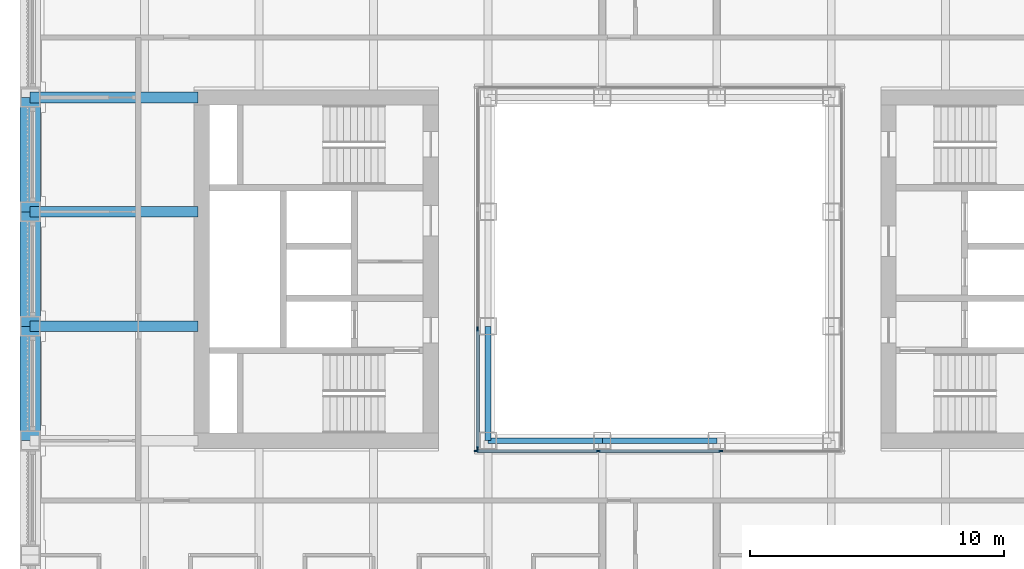
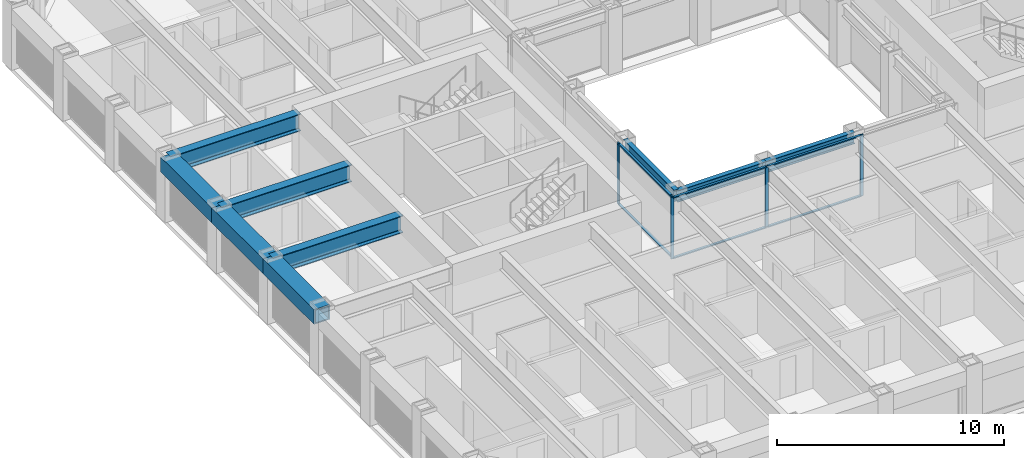
# One storey, part 3 of 21: 11 members, 9 beams, 2 elements without a shape of their own.
"""IFC4 building model written with IfcOpenShell, lengths in metres."""

from ifc_helpers import new_model, si_unit, direction, frame, origin, origin_2d, place, context, subcontext, project, spatial, rectangle, hollow_rectangle, i_section, extrude, material, material_profile, profile_set, type_object, element, aggregate, save


model = new_model("IFC4")

# Units and contexts
model_context = context("Model", 3, precision=1e-05, world=origin(), true_north=direction((0.0, 1.0)))
body_context = subcontext(model_context, "Body", "Model", "MODEL_VIEW")
ifc_project = project(units=[si_unit("LENGTHUNIT", "METRE"), si_unit("AREAUNIT", "SQUARE_METRE"), si_unit("VOLUMEUNIT", "CUBIC_METRE"), si_unit("PLANEANGLEUNIT", "RADIAN"), si_unit("MASSUNIT", "GRAM", prefix="KILO")], contexts=[model_context])

# Site, building, storey
site_placement = place(None, origin())
site = spatial("IfcSite", under=ifc_project, at=site_placement, CompositionType="ELEMENT")
building_placement = place(site_placement, origin())
building = spatial("IfcBuilding", under=site, at=building_placement, Name="Msasa Ring Tower", CompositionType="ELEMENT")
storey_placement = place(building_placement, frame((0.0, 0.0, 100.0)))
storey = spatial("IfcBuildingStorey", under=building, at=storey_placement, Name="L26", CompositionType="ELEMENT", Elevation=100.0)

# Curtain wall, members
ifc_material_1 = material(Name="Aluminium curtain wall with clear glass", Category="aluminium")
curtain_wall_type = type_object("IfcCurtainWallType", Name="CW-W LIGHT WELL CURTAIN WALL", PredefinedType="NOTDEFINED", material=ifc_material_1)
curtain_wall_1_placement = place(storey_placement, origin())
curtain_wall_1 = element("IfcCurtainWall", 1, at=curtain_wall_1_placement, inside=storey, type_object=curtain_wall_type, Name="Light well curtain wall S L26", PredefinedType="NOTDEFINED")
ifc_material_2 = material(Name="Aluminium mullion", Category="aluminium")
ifc_material_profile_1 = material_profile(ifc_material_2, rectangle(XDim=0.06005859375, YDim=0.159912109375, at=origin_2d()), Name="AL 60x160")
ifc_profile_set_1 = profile_set([ifc_material_profile_1], Name="Aluminium mullion")
member_type_1 = type_object("IfcMemberType", Name="CW-W MULLION 60x160", PredefinedType="MULLION", material=ifc_profile_set_1)
member_1_placement = place(storey_placement, frame((-7.199951171875, -7.14990234375, 0.0), z_axis=(0.0, 0.0, 1.0), x_axis=(0.0, 1.0, 0.0)))
member_1 = element("IfcMember", 2, at=member_1_placement, type_object=member_type_1, Name="CW-W mullion 1", PredefinedType="MULLION", context=body_context, shape_type="SweptSolid", body=[
    extrude(rectangle(XDim=0.06005859375, YDim=0.159912109375, at=origin_2d()), origin(), (0.0, 0.0, 1.0), 3.300048828125),
])
member_2_placement = place(storey_placement, frame((-2.409912109375, -7.14990234375, 0.0), z_axis=(0.0, 0.0, 1.0), x_axis=(0.0, 1.0, 0.0)))
member_2 = element("IfcMember", 3, at=member_2_placement, type_object=member_type_1, Name="CW-W mullion 2", PredefinedType="MULLION", context=body_context, shape_type="SweptSolid", body=[
    extrude(rectangle(XDim=0.06005859375, YDim=0.159912109375, at=origin_2d()), origin(), (0.0, 0.0, 1.0), 3.300048828125),
])
member_3_placement = place(storey_placement, frame((2.409912109375, -7.14990234375, 0.0), z_axis=(0.0, 0.0, 1.0), x_axis=(0.0, 1.0, 0.0)))
member_3 = element("IfcMember", 4, at=member_3_placement, type_object=member_type_1, Name="CW-W mullion 3", PredefinedType="MULLION", context=body_context, shape_type="SweptSolid", body=[
    extrude(rectangle(XDim=0.06005859375, YDim=0.159912109375, at=origin_2d()), origin(), (0.0, 0.0, 1.0), 3.300048828125),
])

curtain_wall_2_placement = place(storey_placement, origin())
curtain_wall_2 = element("IfcCurtainWall", 5, at=curtain_wall_2_placement, inside=storey, type_object=curtain_wall_type, Name="Light well curtain wall W L26", PredefinedType="NOTDEFINED")
member_4_placement = place(storey_placement, frame((-7.14990234375, -7.0400390625, 0.0), z_axis=(0.0, 0.0, 1.0), x_axis=(-1.0, 0.0, 0.0)))
member_4 = element("IfcMember", 6, at=member_4_placement, type_object=member_type_1, Name="CW-W mullion 1", PredefinedType="MULLION", context=body_context, shape_type="SweptSolid", body=[
    extrude(rectangle(XDim=0.06005859375, YDim=0.159912109375, at=origin_2d()), origin(), (0.0, 0.0, 1.0), 3.300048828125),
])
member_5_placement = place(storey_placement, frame((-7.14990234375, -2.356689453125, 0.0), z_axis=(0.0, 0.0, 1.0), x_axis=(-1.0, 0.0, 0.0)))
member_5 = element("IfcMember", 7, at=member_5_placement, type_object=member_type_1, Name="CW-W mullion 2", PredefinedType="MULLION", context=body_context, shape_type="SweptSolid", body=[
    extrude(rectangle(XDim=0.06005859375, YDim=0.159912109375, at=origin_2d()), origin(), (0.0, 0.0, 1.0), 3.300048828125),
])

# Member
ifc_material_3 = material(Name="Aluminium transom", Category="aluminium")
ifc_material_profile_2 = material_profile(ifc_material_3, rectangle(XDim=0.1201171875, YDim=0.06005859375, at=origin_2d()), Name="AL 60x120")
ifc_profile_set_2 = profile_set([ifc_material_profile_2], Name="Aluminium transom")
member_type_2 = type_object("IfcMemberType", Name="CW-W TRANSOM 60x120", PredefinedType="USERDEFINED", material=ifc_profile_set_2)
member_6_placement = place(storey_placement, frame((-7.169921875, -7.14990234375, 0.030029296875), z_axis=(1.0, 0.0, 0.0), x_axis=(0.0, 1.0, 0.0)))
member_6 = element("IfcMember", 8, at=member_6_placement, type_object=member_type_2, Name="CW-W transom 1.1", ObjectType="TRANSOM", PredefinedType="USERDEFINED", context=body_context, shape_type="SweptSolid", body=[
    extrude(rectangle(XDim=0.1201171875, YDim=0.06005859375, at=origin_2d()), origin(), (0.0, 0.0, 1.0), 4.72998046875),
])

member_7_placement = place(storey_placement, frame((-7.169921875, -7.14990234375, 3.27001953125), z_axis=(1.0, 0.0, 0.0), x_axis=(0.0, 1.0, 0.0)))
member_7 = element("IfcMember", 9, at=member_7_placement, type_object=member_type_2, Name="CW-W transom 1.2", ObjectType="TRANSOM", PredefinedType="USERDEFINED", context=body_context, shape_type="SweptSolid", body=[
    extrude(rectangle(XDim=0.1201171875, YDim=0.06005859375, at=origin_2d()), origin(), (0.0, 0.0, 1.0), 4.72998046875),
])

member_8_placement = place(storey_placement, frame((-2.3798828125, -7.14990234375, 0.030029296875), z_axis=(1.0, 0.0, 0.0), x_axis=(0.0, 1.0, 0.0)))
member_8 = element("IfcMember", 10, at=member_8_placement, type_object=member_type_2, Name="CW-W transom 2.1", ObjectType="TRANSOM", PredefinedType="USERDEFINED", context=body_context, shape_type="SweptSolid", body=[
    extrude(rectangle(XDim=0.1201171875, YDim=0.06005859375, at=origin_2d()), origin(), (0.0, 0.0, 1.0), 4.759765625),
])

member_9_placement = place(storey_placement, frame((-2.3798828125, -7.14990234375, 3.27001953125), z_axis=(1.0, 0.0, 0.0), x_axis=(0.0, 1.0, 0.0)))
member_9 = element("IfcMember", 11, at=member_9_placement, type_object=member_type_2, Name="CW-W transom 2.2", ObjectType="TRANSOM", PredefinedType="USERDEFINED", context=body_context, shape_type="SweptSolid", body=[
    extrude(rectangle(XDim=0.1201171875, YDim=0.06005859375, at=origin_2d()), origin(), (0.0, 0.0, 1.0), 4.759765625),
])

aggregate(curtain_wall_1, [member_1, member_2, member_3, member_6, member_7, member_8, member_9])

member_10_placement = place(storey_placement, frame((-7.14990234375, -7.010009765625, 0.030029296875), z_axis=(0.0, 1.0, 0.0), x_axis=(-1.0, 0.0, 0.0)))
member_10 = element("IfcMember", 12, at=member_10_placement, type_object=member_type_2, Name="CW-W transom 1.1", ObjectType="TRANSOM", PredefinedType="USERDEFINED", context=body_context, shape_type="SweptSolid", body=[
    extrude(rectangle(XDim=0.1201171875, YDim=0.06005859375, at=origin_2d()), origin(), (0.0, 0.0, 1.0), 4.623291015625),
])

member_11_placement = place(storey_placement, frame((-7.14990234375, -7.010009765625, 3.27001953125), z_axis=(0.0, 1.0, 0.0), x_axis=(-1.0, 0.0, 0.0)))
member_11 = element("IfcMember", 13, at=member_11_placement, type_object=member_type_2, Name="CW-W transom 1.2", ObjectType="TRANSOM", PredefinedType="USERDEFINED", context=body_context, shape_type="SweptSolid", body=[
    extrude(rectangle(XDim=0.1201171875, YDim=0.06005859375, at=origin_2d()), origin(), (0.0, 0.0, 1.0), 4.623291015625),
])

aggregate(curtain_wall_2, [member_4, member_5, member_10, member_11])

# Beams
ifc_material_4 = material(Name="Steel S355", Category="steel")
ifc_material_profile_3 = material_profile(ifc_material_4, i_section(OverallWidth=0.42041015625, OverallDepth=0.9208984375, WebThickness=0.021484375, FlangeThickness=0.03662109375, FilletRadius=0.024169921875, at=origin_2d()), Name="UB 914x419x388")
ifc_profile_set_3 = profile_set([ifc_material_profile_3], Name="Steel S355")
beam_type_1 = type_object("IfcBeamType", Name="FB2 UB 914x419x388", PredefinedType="BEAM", material=ifc_profile_set_3)
for number, where, z_axis, x_axis, name in (
    (14, (-24.75, -2.25, 2.839599609375), (1.0, 0.0, 0.0), (0.0, 1.0, 0.0), "Floor beam W -2.25 under L27"),
    (15, (-24.75, 2.25, 2.839599609375), (1.0, 0.0, 0.0), (0.0, 1.0, 0.0), "Floor beam W +2.25 under L27"),
):
    element("IfcBeam", number, at=place(storey_placement, frame(where, z_axis=z_axis, x_axis=x_axis)), inside=storey, type_object=beam_type_1, Name=name, PredefinedType="BEAM", context=body_context, shape_type="SweptSolid", body=[
        extrude(i_section(OverallWidth=0.42041015625, OverallDepth=0.9208984375, WebThickness=0.021484375, FlangeThickness=0.03662109375, FilletRadius=0.024169921875, at=origin_2d()), origin(), (0.0, 0.0, 1.0), 6.60009765625),
    ])
ifc_material_5 = material(Name="Steel S355", Category="steel")
ifc_material_profile_4 = material_profile(ifc_material_5, i_section(OverallWidth=0.42041015625, OverallDepth=0.9208984375, WebThickness=0.021484375, FlangeThickness=0.03662109375, FilletRadius=0.024169921875, at=origin_2d()), Name="UB 914x419x388")
ifc_profile_set_4 = profile_set([ifc_material_profile_4], Name="Steel S355")
beam_type_2 = type_object("IfcBeamType", Name="GB1 UB 914x419x388", PredefinedType="BEAM", material=ifc_profile_set_4)
beam_placement = place(storey_placement, frame((-18.14990234375, 6.75, 2.839599609375), z_axis=(-1.0, 0.0, 0.0), x_axis=(0.0, -1.0, 0.0)))
element("IfcBeam", 16, at=beam_placement, inside=storey, type_object=beam_type_2, Name="Girder W +6.75 under L27", PredefinedType="BEAM", context=body_context, shape_type="SweptSolid", body=[
    extrude(i_section(OverallWidth=0.42041015625, OverallDepth=0.9208984375, WebThickness=0.021484375, FlangeThickness=0.03662109375, FilletRadius=0.024169921875, at=origin_2d()), origin(), (0.0, 0.0, 1.0), 6.60009765625),
])
ifc_material_6 = material(Name="Steel S355", Category="steel")
ifc_material_profile_5 = material_profile(ifc_material_6, i_section(OverallWidth=0.230224609375, OverallDepth=0.6171875, WebThickness=0.01318359375, FlangeThickness=0.022216796875, FilletRadius=0.0126953125, at=origin_2d()), Name="UB 610x229x140")
ifc_profile_set_5 = profile_set([ifc_material_profile_5], Name="Steel S355")
beam_type_3 = type_object("IfcBeamType", Name="RB1 UB 610x229x140", PredefinedType="BEAM", material=ifc_profile_set_5)
for number, where, z_axis, x_axis, name in (
    (17, (-6.75, -2.25, 2.991455078125), (0.0, -1.0, 0.0), (1.0, 0.0, 0.0), "Inner ring beam IR-6.75-2.25 under L27"),
    (18, (-6.75, -6.75, 2.991455078125), (1.0, 0.0, 0.0), (0.0, 1.0, 0.0), "Inner ring beam IR-6.75-6.75 under L27"),
    (19, (-2.25, -6.75, 2.991455078125), (1.0, 0.0, 0.0), (0.0, 1.0, 0.0), "Inner ring beam IR-2.25-6.75 under L27"),
):
    element("IfcBeam", number, at=place(storey_placement, frame(where, z_axis=z_axis, x_axis=x_axis)), inside=storey, type_object=beam_type_3, Name=name, PredefinedType="BEAM", context=body_context, shape_type="SweptSolid", body=[
        extrude(i_section(OverallWidth=0.230224609375, OverallDepth=0.6171875, WebThickness=0.01318359375, FlangeThickness=0.022216796875, FilletRadius=0.0126953125, at=origin_2d()), origin(), (0.0, 0.0, 1.0), 4.5),
    ])
ifc_material_7 = material(Name="Steel S355", Category="steel")
ifc_material_profile_6 = material_profile(ifc_material_7, hollow_rectangle(XDim=0.800048828125, YDim=0.800048828125, WallThickness=0.06005859375, at=origin_2d()), Name="BOX 800x800x60")
ifc_profile_set_6 = profile_set([ifc_material_profile_6], Name="Steel S355")
beam_type_4 = type_object("IfcBeamType", Name="SB3 BOX 800x800x60", PredefinedType="SPANDREL", material=ifc_profile_set_6)
for number, where, z_axis, x_axis, name in (
    (20, (-24.75, -2.25, 2.89990234375), (0.0, -1.0, 0.0), (1.0, 0.0, 0.0), "Spandrel W-2.25 to W-6.75 under L27"),
    (21, (-24.75, 6.75, 2.89990234375), (0.0, -1.0, 0.0), (1.0, 0.0, 0.0), "Spandrel W+6.75 to W+2.25 under L27"),
    (22, (-24.75, 2.25, 2.89990234375), (0.0, -1.0, 0.0), (1.0, 0.0, 0.0), "Spandrel W+2.25 to W-2.25 under L27"),
):
    element("IfcBeam", number, at=place(storey_placement, frame(where, z_axis=z_axis, x_axis=x_axis)), inside=storey, type_object=beam_type_4, Name=name, PredefinedType="SPANDREL", context=body_context, shape_type="SweptSolid", body=[
        extrude(hollow_rectangle(XDim=0.800048828125, YDim=0.800048828125, WallThickness=0.06005859375, at=origin_2d()), origin(), (0.0, 0.0, 1.0), 4.5),
    ])

save(model, "model.ifc")
